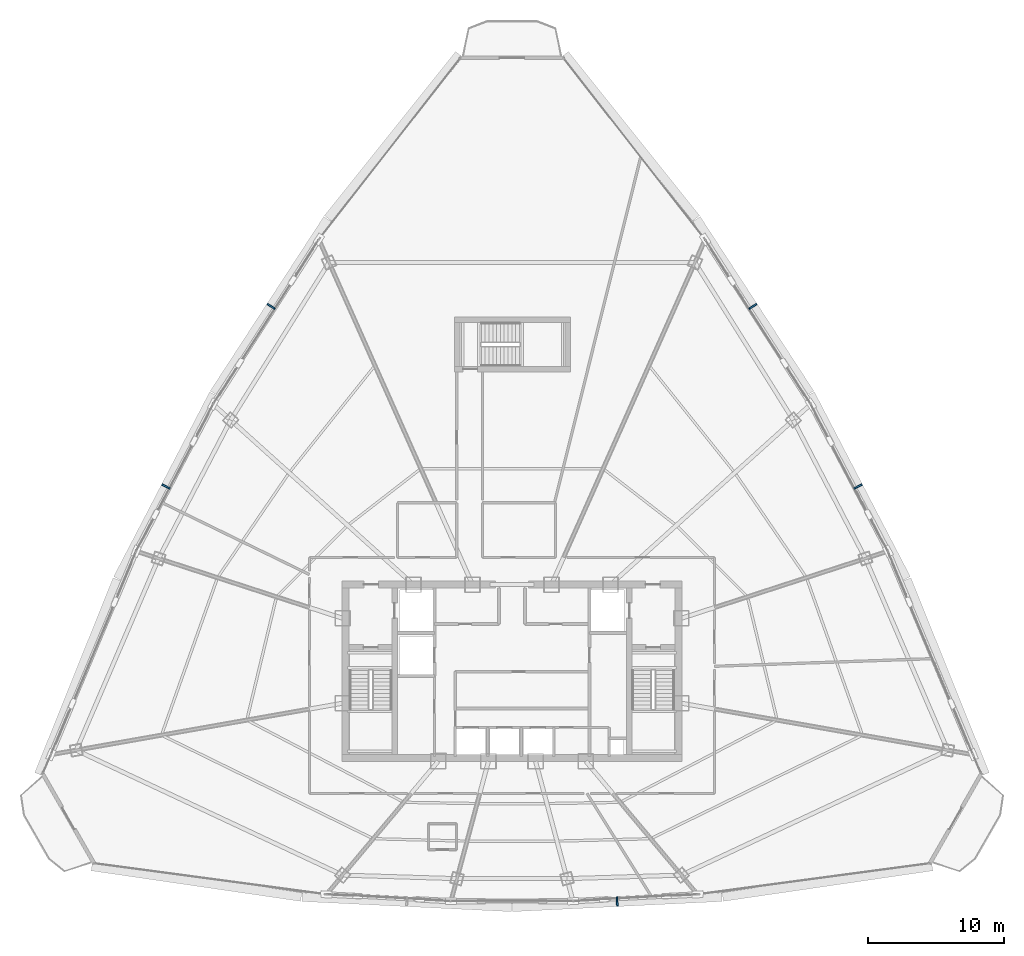
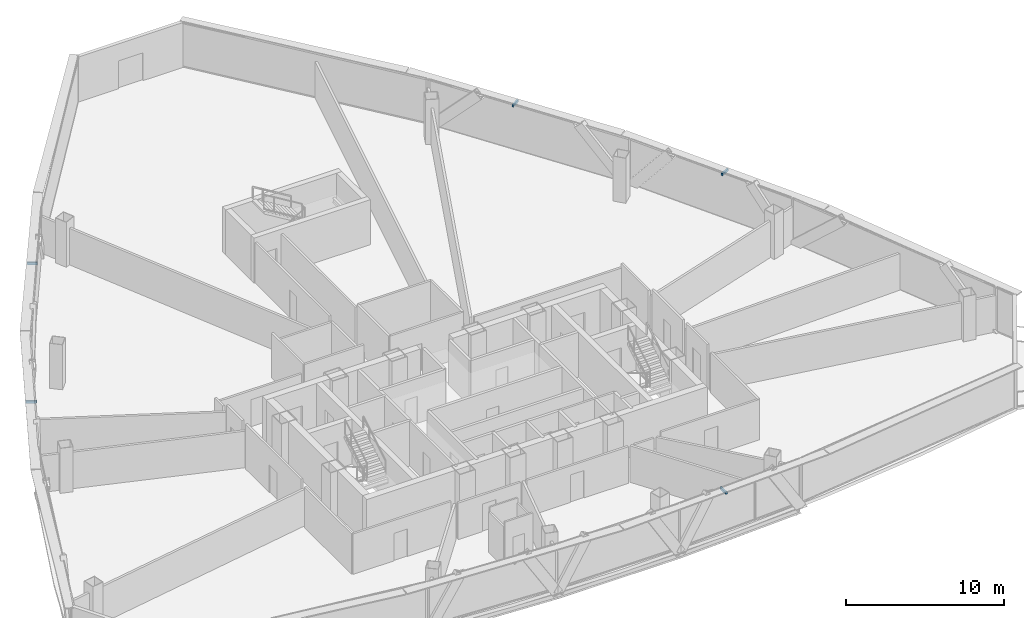
# One storey, part 33 of 37: 5 discrete accessories.
"""IFC4 building model written with IfcOpenShell, lengths in metres."""

from ifc_helpers import new_model, si_unit, direction, frame, origin, origin_2d, place, context, subcontext, project, spatial, rectangle, extrude, source, transform, mapped, material, type_object, element, save


model = new_model("IFC4")

# Units and contexts
model_context = context("Model", 3, precision=1e-05, world=origin(), true_north=direction((0.0, 1.0)))
body_context = subcontext(model_context, "Body", "Model", "MODEL_VIEW")
ifc_project = project(units=[si_unit("LENGTHUNIT", "METRE"), si_unit("AREAUNIT", "SQUARE_METRE"), si_unit("VOLUMEUNIT", "CUBIC_METRE"), si_unit("PLANEANGLEUNIT", "RADIAN"), si_unit("MASSUNIT", "GRAM", prefix="KILO"), si_unit("THERMODYNAMICTEMPERATUREUNIT", "KELVIN"), si_unit("POWERUNIT", "WATT")], contexts=[model_context])

# Site, building, storey
site_placement = place(None, origin())
site = spatial("IfcSite", under=ifc_project, at=site_placement, CompositionType="ELEMENT")
building_placement = place(site_placement, origin())
building = spatial("IfcBuilding", under=site, at=building_placement, Name="Yunzhuo Pagoda Commons", CompositionType="ELEMENT")
storey_placement = place(building_placement, frame((0.0, 0.0, 255.719970703125)))
storey = spatial("IfcBuildingStorey", under=building, at=storey_placement, Name="L64", CompositionType="ELEMENT", Elevation=255.719970703125)

# Discrete accessories
ifc_material = material(Name="Anodized aluminium 6063-T6", Category="aluminium")
discrete_accessory_type = type_object("IfcDiscreteAccessoryType", Name="BK-SUN1 Sunshade Outrigger Bracket", PredefinedType="BRACKET", material=ifc_material)
shared_shape = source(origin(), body_context, "Body", "SweptSolid", [
    extrude(rectangle(XDim=0.1201171875, YDim=0.679931640625, at=origin_2d()), origin(), (0.0, 0.0, 1.0), 0.179931640625),
])
for number, where, z_axis, x_axis, name in (
    (1, (55.704833984375, 16.972900390625, 3.26025390625), (0.0, 0.0, 1.0), (0.998818043775, 0.04860571396, 0.0), "L64 sunshade outrigger bracket F1.3"),
    (2, (73.35546875, 47.384521484375, 3.26025390625), (0.0, 0.0, 1.0), (-0.461206683033, 0.88729273384, 0.0), "L64 sunshade outrigger bracket F2.2"),
    (3, (65.650390625, 60.583984375, 3.26025390625), (0.0, 0.0, 1.0), (-0.545838756973, 0.837890238269, 0.0), "L64 sunshade outrigger bracket F2.3"),
    (4, (30.349609375, 60.583984375, 3.26025390625), (0.0, 0.0, 1.0), (-0.545838756973, -0.837890238269, 0.0), "L64 sunshade outrigger bracket F3.2"),
    (5, (22.64453125, 47.384521484375, 3.26025390625), (0.0, 0.0, 1.0), (-0.461206683033, -0.88729273384, 0.0), "L64 sunshade outrigger bracket F3.3"),
):
    element("IfcDiscreteAccessory", number, at=place(storey_placement, frame(where, z_axis=z_axis, x_axis=x_axis)), inside=storey, type_object=discrete_accessory_type, Name=name, PredefinedType="BRACKET", context=body_context, shape_type="MappedRepresentation", body=[
        mapped(shared_shape, transform((0.0, 0.0, 0.0), scale=1.0)),
    ])

save(model, "model.ifc")
